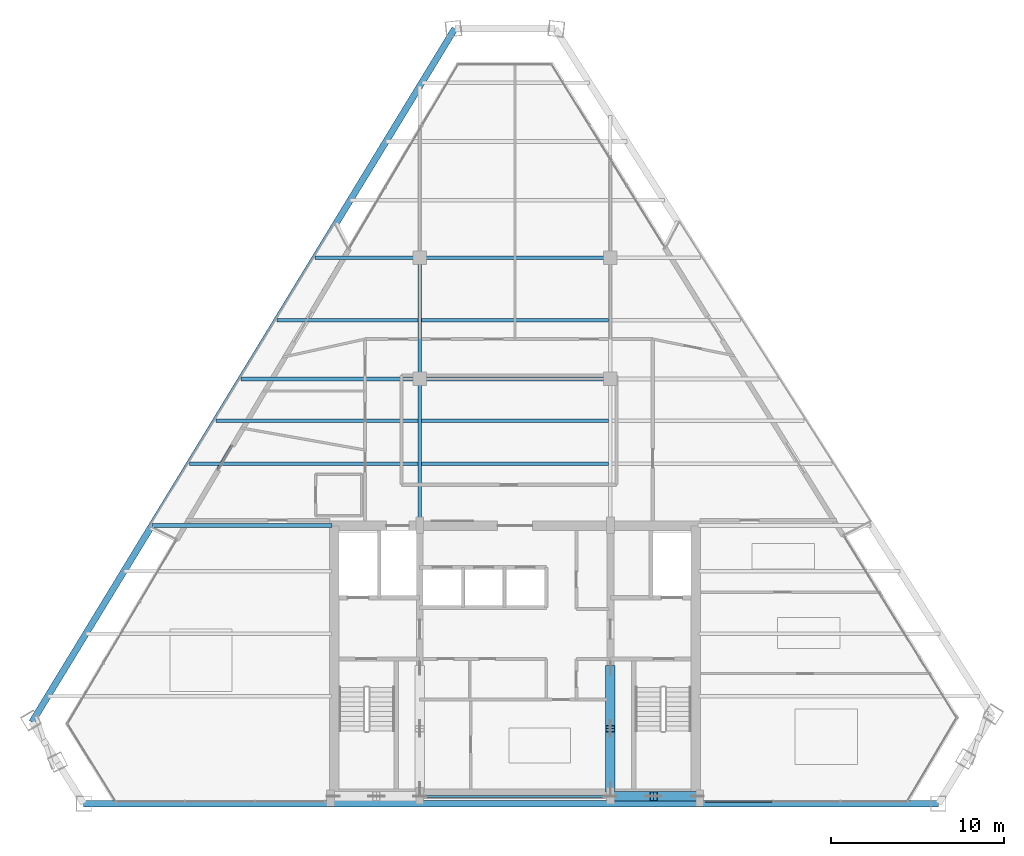
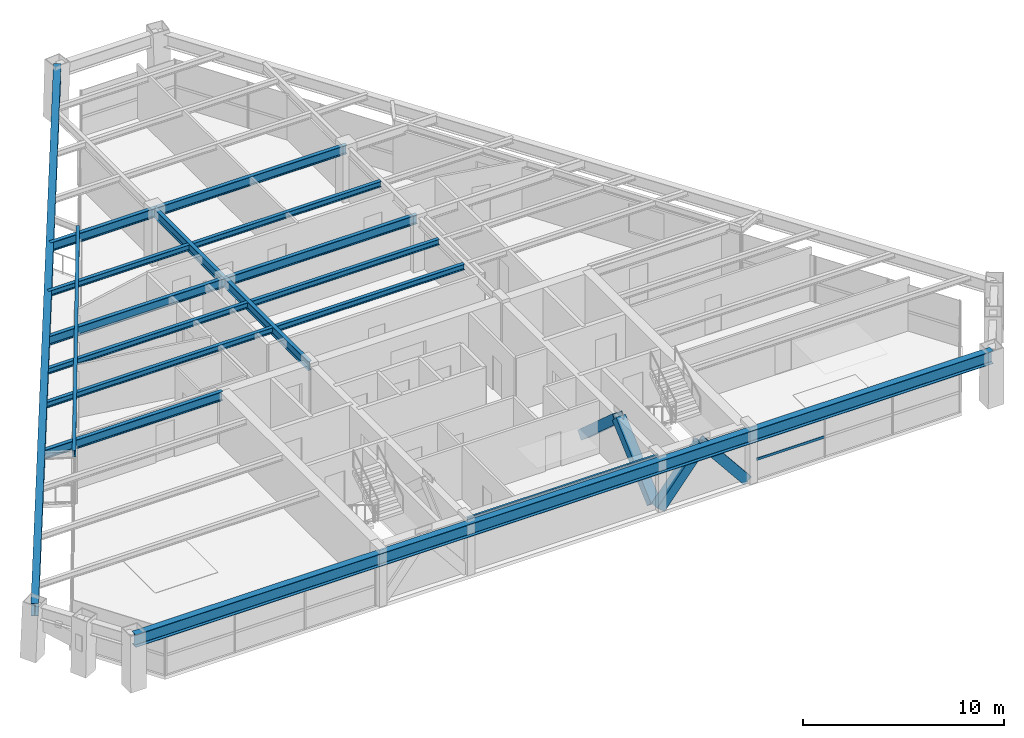
# One storey, part 3 of 12: 17 beams, 5 members, 1 element without a shape of its own.
"""IFC4 building model written with IfcOpenShell, lengths in metres."""

import ifcopenshell
import ifcopenshell.guid

model = None  # the IFC model being written
_history = None  # IfcOwnerHistory: only IFC2X3 demands one
_inside = {}  # id of a spatial element -> (the spatial element, [elements in it])
_under = {}  # id of a project, library or spatial element -> (it, [spatial elements below it])
_declared = {}  # id of a project -> (the project, [libraries it declares])
_typed = {}  # id of a type object -> (the type object, [elements of that type])
_made_of = {}  # id of a material, layer set ... -> (it, [elements and type objects made of it])


def new_model(schema):
    """Start an empty IFC model of exactly this schema.

    Asked for "IFC4X3", IfcOpenShell would pick the latest addendum, in which some entities
    have other attributes; the version numbers below select the first issue.
    IFC2X3 requires an IfcOwnerHistory on every rooted entity: one is made here for all.
    """
    global model, _history
    if schema == "IFC4X3":
        model = ifcopenshell.file(schema_version=(4, 3, 0, 0))
    else:
        model = ifcopenshell.file(schema=schema)
    _inside.clear()
    _under.clear()
    _declared.clear()
    _typed.clear()
    _made_of.clear()
    _history = None
    if model.schema == "IFC2X3":
        org = make("IfcOrganization", Name="unknown")
        user = make(
            "IfcPersonAndOrganization",
            ThePerson=make("IfcPerson", FamilyName="unknown"),
            TheOrganization=org,
        )
        app = make(
            "IfcApplication",
            ApplicationDeveloper=org,
            Version="unknown",
            ApplicationFullName="unknown",
            ApplicationIdentifier="unknown",
        )
        _history = make(
            "IfcOwnerHistory",
            OwningUser=user,
            OwningApplication=app,
            ChangeAction="ADDED",
            CreationDate=0,
        )
    return model


def make(cls, **values):
    """One entity of the class cls with the attributes given. An attribute that is None is left unset."""
    return model.create_entity(
        cls, **{name: value for name, value in values.items() if value is not None}
    )


def rooted(cls, **values):
    """An entity with a GlobalId (a new one), such as an element, a storey or a relation."""
    return make(cls, GlobalId=ifcopenshell.guid.new(), OwnerHistory=_history, **values)


def si_unit(unit_type, name, prefix=None):
    """IfcSIUnit, for example si_unit("LENGTHUNIT", "METRE", prefix="MILLI")."""
    return make("IfcSIUnit", UnitType=unit_type, Prefix=prefix, Name=name)


def assignment(units):
    """IfcUnitAssignment: the units of a project."""
    return None if units is None else make("IfcUnitAssignment", Units=units)


def point(xyz):
    """IfcCartesianPoint."""
    return None if xyz is None else make("IfcCartesianPoint", Coordinates=xyz)


def direction(xyz):
    """IfcDirection."""
    return None if xyz is None else make("IfcDirection", DirectionRatios=xyz)


def frame(location, z_axis=None, x_axis=None):
    """IfcAxis2Placement3D, a coordinate frame: its origin and axes. An axis left out is left unset."""
    return make(
        "IfcAxis2Placement3D",
        Location=point(location),
        Axis=direction(z_axis),
        RefDirection=direction(x_axis),
    )


def frame_2d(location, x_axis=None):
    """IfcAxis2Placement2D, a coordinate frame in the plane: its origin and x axis."""
    return make(
        "IfcAxis2Placement2D", Location=point(location), RefDirection=direction(x_axis)
    )


def origin():
    """The frame at (0, 0, 0) with its axes left unset."""
    return frame((0.0, 0.0, 0.0))


def origin_2d():
    """The frame at (0, 0) in the plane with its x axis left unset."""
    return frame_2d((0.0, 0.0))


def place(relative_to, where):
    """IfcLocalPlacement: puts the frame where relative to a parent placement (None: the world)."""
    return make(
        "IfcLocalPlacement", PlacementRelTo=relative_to, RelativePlacement=where
    )


def context(
    kind, dimensions, precision=None, world=None, true_north=None, identifier=None
):
    """IfcGeometricRepresentationContext, for example the 3D "Model" context."""
    return make(
        "IfcGeometricRepresentationContext",
        ContextIdentifier=identifier,
        ContextType=kind,
        CoordinateSpaceDimension=dimensions,
        Precision=precision,
        WorldCoordinateSystem=world,
        TrueNorth=true_north,
    )


def subcontext(parent, identifier, kind, view, scale=None):
    """IfcGeometricRepresentationSubContext, for example "Body" below "Model"."""
    return make(
        "IfcGeometricRepresentationSubContext",
        ContextIdentifier=identifier,
        ContextType=kind,
        ParentContext=parent,
        TargetScale=scale,
        TargetView=view,
    )


def project(units=None, contexts=None):
    """IfcProject with its units and contexts."""
    return rooted(
        "IfcProject",
        Name="project",
        RepresentationContexts=contexts,
        UnitsInContext=assignment(units),
    )


def spatial(cls, under=None, at=None, **own):
    """A site, building, storey or space (cls), placed at a placement, below another one or the project."""
    s = rooted(cls, ObjectPlacement=at, **own)
    if under is not None:
        _under.setdefault(under.id(), (under, []))[1].append(s)
    return s


def profile(cls, at=None, kind="AREA", **sizes):
    """A parametric profile (cls). Its sizes go by their IFC names, for example OverallWidth=200.0."""
    return make(cls, ProfileType=kind, Position=at, **sizes)


def rectangle(**sizes):
    """IfcRectangleProfileDef."""
    return profile("IfcRectangleProfileDef", **sizes)


def hollow_rectangle(**sizes):
    """IfcRectangleHollowProfileDef."""
    return profile("IfcRectangleHollowProfileDef", **sizes)


def i_section(**sizes):
    """IfcIShapeProfileDef."""
    return profile("IfcIShapeProfileDef", **sizes)


def extrude(swept, where, along, depth):
    """IfcExtrudedAreaSolid: the profile swept, set in the frame where, extruded along a direction by depth."""
    return make(
        "IfcExtrudedAreaSolid",
        SweptArea=swept,
        Position=where,
        ExtrudedDirection=direction(along),
        Depth=depth,
    )


def shape(context_of_items, identifier, shape_type, items):
    """IfcShapeRepresentation: the items that make up one representation, for example the "Body"."""
    return make(
        "IfcShapeRepresentation",
        ContextOfItems=context_of_items,
        RepresentationIdentifier=identifier,
        RepresentationType=shape_type,
        Items=items,
    )


def source(mapping_origin, context_of_items, identifier, shape_type, items):
    """IfcRepresentationMap: a shape defined once, which mapped items show again and again."""
    return make(
        "IfcRepresentationMap",
        MappingOrigin=mapping_origin,
        MappedRepresentation=shape(context_of_items, identifier, shape_type, items),
    )


def transform(
    local_origin,
    x_axis=None,
    y_axis=None,
    z_axis=None,
    scale=None,
    scale2=None,
    scale3=None,
    uniform=True,
):
    """IfcCartesianTransformationOperator3D, or its non-uniform kind. x_axis, y_axis, z_axis: its Axis1, 2, 3."""
    if uniform:
        return make(
            "IfcCartesianTransformationOperator3D",
            Axis1=direction(x_axis),
            Axis2=direction(y_axis),
            LocalOrigin=point(local_origin),
            Scale=scale,
            Axis3=direction(z_axis),
        )
    return make(
        "IfcCartesianTransformationOperator3DnonUniform",
        Axis1=direction(x_axis),
        Axis2=direction(y_axis),
        LocalOrigin=point(local_origin),
        Scale=scale,
        Axis3=direction(z_axis),
        Scale2=scale2,
        Scale3=scale3,
    )


def mapped(mapping_source, mapping_target):
    """IfcMappedItem: shows the shape of a source again, moved by a transform."""
    return make(
        "IfcMappedItem", MappingSource=mapping_source, MappingTarget=mapping_target
    )


def material(Name=None, Category=None):
    """IfcMaterial."""
    return make("IfcMaterial", Name=Name, Category=Category)


def material_profile(
    of_material, cross_section, Name=None, Category=None, Priority=None
):
    """IfcMaterialProfile: a cross section and its material."""
    return make(
        "IfcMaterialProfile",
        Name=Name,
        Material=of_material,
        Profile=cross_section,
        Priority=Priority,
        Category=Category,
    )


def profile_set(profiles, Name=None, composite=None):
    """IfcMaterialProfileSet."""
    return make(
        "IfcMaterialProfileSet",
        Name=Name,
        MaterialProfiles=profiles,
        CompositeProfile=composite,
    )


def made_of(thing, what):
    """Note that an element or type object is made of a material, layer set ...; save() writes the relation."""
    if what is not None:
        _made_of.setdefault(what.id(), (what, []))[1].append(thing)
    return thing


def type_object(cls, material=None, **own):
    """A type object (cls), such as IfcWallType, which elements share."""
    return made_of(rooted(cls, **own), material)


def type_shapes(of_type, sources):
    """Give a type object the sources (RepresentationMaps) that its elements show as mapped items."""
    of_type.RepresentationMaps = sources


def element(
    cls,
    number,
    at=None,
    inside=None,
    cuts=None,
    type_object=None,
    material=None,
    context=None,
    identifier="Body",
    shape_type=None,
    held_by="IfcProductDefinitionShape",
    body=None,
    shapes=None,
    **own,
):
    """One element of the class cls, such as IfcWall. Its Tag is "e" and its number.

    at: its placement. inside: the storey or other place that contains it. cuts: it is an
    opening in that element (IfcRelVoidsElement). A single representation is given by context,
    identifier, shape_type and body (its items); several are given by shapes. held_by: the class
    of the entity that holds the representations. save() writes the other relations.
    """
    e = rooted(cls, Tag="e%d" % number, ObjectPlacement=at, **own)
    if body is not None:
        shapes = [shape(context, identifier, shape_type, body)]
    if shapes is not None:
        e.Representation = make(held_by, Representations=shapes)
    if inside is not None:
        _inside.setdefault(inside.id(), (inside, []))[1].append(e)
    if cuts is not None:
        rooted(
            "IfcRelVoidsElement", RelatingBuildingElement=cuts, RelatedOpeningElement=e
        )
    if type_object is not None:
        _typed.setdefault(type_object.id(), (type_object, []))[1].append(e)
    return made_of(e, material)


def aggregate(whole, parts):
    """IfcRelAggregates: a whole, such as a stair, and the parts it consists of."""
    return rooted("IfcRelAggregates", RelatingObject=whole, RelatedObjects=parts)


def save(model, path):
    """Write the relations noted so far, then the file.

    IfcRelAggregates (storeys below a building ...), IfcRelContainedInSpatialStructure (elements
    in a storey), IfcRelDefinesByType, IfcRelAssociatesMaterial and IfcRelDeclares: one each for
    every whole, place, type object, material and project.
    """
    for whole, parts in _under.values():
        aggregate(whole, parts)
    for where, things in _inside.values():
        rooted(
            "IfcRelContainedInSpatialStructure",
            RelatedElements=things,
            RelatingStructure=where,
        )
    for kind, things in _typed.values():
        rooted("IfcRelDefinesByType", RelatedObjects=things, RelatingType=kind)
    for what, things in _made_of.values():
        rooted("IfcRelAssociatesMaterial", RelatedObjects=things, RelatingMaterial=what)
    for by, libraries in _declared.values():
        rooted("IfcRelDeclares", RelatingContext=by, RelatedDefinitions=libraries)
    model.write(path)


model = new_model("IFC4")

# Units and contexts
model_context = context("Model", 3, precision=1e-05, world=origin(), true_north=direction((0.0, 1.0)))
body_context = subcontext(model_context, "Body", "Model", "MODEL_VIEW")
ifc_project = project(units=[si_unit("LENGTHUNIT", "METRE"), si_unit("AREAUNIT", "SQUARE_METRE"), si_unit("VOLUMEUNIT", "CUBIC_METRE"), si_unit("PLANEANGLEUNIT", "RADIAN"), si_unit("MASSUNIT", "GRAM", prefix="KILO")], contexts=[model_context])

# Site, building, storey
site_placement = place(None, origin())
site = spatial("IfcSite", under=ifc_project, at=site_placement, CompositionType="ELEMENT")
building_placement = place(site_placement, origin())
building = spatial("IfcBuilding", under=site, at=building_placement, Name="Varnakhor Terracotta Tower", CompositionType="ELEMENT")
storey_placement = place(building_placement, frame((0.0, 0.0, 233.800048828125)))
storey = spatial("IfcBuildingStorey", under=building, at=storey_placement, Name="L60", CompositionType="ELEMENT", Elevation=233.800048828125)

# Beams
ifc_material_1 = material(Name="Steel S355", Category="steel")
ifc_material_profile_1 = material_profile(ifc_material_1, i_section(OverallWidth=0.1201171875, OverallDepth=0.239990234375, WebThickness=0.006103515625, FlangeThickness=0.009765625, FilletRadius=0.01806640625, at=origin_2d()), Name="IPE240")
ifc_profile_set_1 = profile_set([ifc_material_profile_1], Name="Steel S355")
beam_type_1 = type_object("IfcBeamType", Name="LNT-IPE240", PredefinedType="LINTEL", material=ifc_profile_set_1)
shared_shape_1 = source(origin(), body_context, "Body", "SweptSolid", [
    extrude(i_section(OverallWidth=0.1201171875, OverallDepth=0.239990234375, WebThickness=0.006103515625, FlangeThickness=0.009765625, FilletRadius=0.01806640625, at=origin_2d()), origin(), (0.0, 0.0, 1.0), 11.0),
])
type_shapes(beam_type_1, [shared_shape_1])
beam_1_placement = place(storey_placement, frame((-5.5, 0.419921875, 3.119873046875), z_axis=(1.0, 0.0, 0.0), x_axis=(0.0, 1.0, 0.0)))
element("IfcBeam", 1, at=beam_1_placement, inside=storey, type_object=beam_type_1, Name="L60 Core South Coupling Lintel", PredefinedType="LINTEL", context=body_context, shape_type="MappedRepresentation", body=[
    mapped(shared_shape_1, transform((0.0, 0.0, 0.0), scale=1.0)),
])
ifc_material_profile_2 = material_profile(ifc_material_1, i_section(OverallWidth=0.214111328125, OverallDepth=0.549072265625, WebThickness=0.014892578125, FlangeThickness=0.02392578125, FilletRadius=0.01806640625, at=origin_2d()), Name="W21X93")
ifc_profile_set_2 = profile_set([ifc_material_profile_2], Name="Steel S355")
beam_type_2 = type_object("IfcBeamType", Name="BM-W21X93", PredefinedType="BEAM", material=ifc_profile_set_2)
shared_shape_2 = source(origin(), body_context, "Body", "SweptSolid", [
    extrude(i_section(OverallWidth=0.214111328125, OverallDepth=0.549072265625, WebThickness=0.014892578125, FlangeThickness=0.02392578125, FilletRadius=0.01806640625, at=origin_2d()), origin(), (0.0, 0.0, 1.0), 8.449951171875),
])
type_shapes(beam_type_2, [shared_shape_2])
beam_2_placement = place(storey_placement, frame((-5.5, 16.050048828125, 2.96533203125), z_axis=(0.0, 1.0, 0.0), x_axis=(-1.0, 0.0, 0.0)))
element("IfcBeam", 2, at=beam_2_placement, inside=storey, type_object=beam_type_2, Name="L60 Primary Girder NS1-W", PredefinedType="BEAM", context=body_context, shape_type="MappedRepresentation", body=[
    mapped(shared_shape_2, transform((0.0, 0.0, 0.0), scale=1.0)),
])
shared_shape_3 = source(origin(), body_context, "Body", "SweptSolid", [
    extrude(i_section(OverallWidth=0.214111328125, OverallDepth=0.549072265625, WebThickness=0.014892578125, FlangeThickness=0.02392578125, FilletRadius=0.01806640625, at=origin_2d()), origin(), (0.0, 0.0, 1.0), 7.0),
])
beam_3_placement = place(storey_placement, frame((-5.5, 24.5, 2.96533203125), z_axis=(0.0, 1.0, 0.0), x_axis=(-1.0, 0.0, 0.0)))
element("IfcBeam", 3, at=beam_3_placement, inside=storey, type_object=beam_type_2, Name="L60 Primary Girder NS2-W", PredefinedType="BEAM", context=body_context, shape_type="MappedRepresentation", body=[
    mapped(shared_shape_3, transform((0.0, 0.0, 0.0), scale=1.0)),
])
shared_shape_4 = source(origin(), body_context, "Body", "SweptSolid", [
    extrude(i_section(OverallWidth=0.214111328125, OverallDepth=0.549072265625, WebThickness=0.014892578125, FlangeThickness=0.02392578125, FilletRadius=0.01806640625, at=origin_2d()), origin(), (0.0, 0.0, 1.0), 11.0),
])
for number, where, z_axis, x_axis, name in (
    (4, (-5.5, 24.5, 2.96533203125), (1.0, 0.0, 0.0), (0.0, 1.0, 0.0), "L60 Primary Girder EW2-2"),
    (5, (-5.5, 31.5, 2.96533203125), (1.0, 0.0, 0.0), (0.0, 1.0, 0.0), "L60 Primary Girder EW3-2"),
):
    element("IfcBeam", number, at=place(storey_placement, frame(where, z_axis=z_axis, x_axis=x_axis)), inside=storey, type_object=beam_type_2, Name=name, PredefinedType="BEAM", context=body_context, shape_type="MappedRepresentation", body=[
        mapped(shared_shape_4, transform((0.0, 0.0, 0.0), scale=1.0)),
    ])
ifc_material_profile_3 = material_profile(ifc_material_1, i_section(OverallWidth=0.202880859375, OverallDepth=0.346923828125, WebThickness=0.0078125, FlangeThickness=0.013427734375, FilletRadius=0.01806640625, at=origin_2d()), Name="W14X43")
ifc_profile_set_3 = profile_set([ifc_material_profile_3], Name="Steel S355")
beam_type_3 = type_object("IfcBeamType", Name="JST-W14X43", PredefinedType="JOIST", material=ifc_profile_set_3)
shared_shape_5 = source(origin(), body_context, "Body", "SweptSolid", [
    extrude(i_section(OverallWidth=0.202880859375, OverallDepth=0.346923828125, WebThickness=0.0078125, FlangeThickness=0.013427734375, FilletRadius=0.01806640625, at=origin_2d()), origin(), (0.0, 0.0, 1.0), 10.7939453125),
])
for number, where, z_axis, x_axis, name in (
    (6, (-5.39697265625, 19.60009765625, 3.06640625), (1.0, 0.0, 0.0), (0.0, 1.0, 0.0), "L60 Composite Floor Joist 4-2"),
    (7, (-5.39697265625, 22.10009765625, 3.06640625), (1.0, 0.0, 0.0), (0.0, 1.0, 0.0), "L60 Composite Floor Joist 5-2"),
    (8, (-5.39697265625, 27.89990234375, 3.06640625), (1.0, 0.0, 0.0), (0.0, 1.0, 0.0), "L60 Composite Floor Joist 6-2"),
):
    element("IfcBeam", number, at=place(storey_placement, frame(where, z_axis=z_axis, x_axis=x_axis)), inside=storey, type_object=beam_type_3, Name=name, PredefinedType="JOIST", context=body_context, shape_type="MappedRepresentation", body=[
        mapped(shared_shape_5, transform((0.0, 0.0, 0.0), scale=1.0)),
    ])

# Members
ifc_material_profile_4 = material_profile(ifc_material_1, hollow_rectangle(XDim=0.550048828125, YDim=0.550048828125, WallThickness=0.034912109375, at=origin_2d()), Name="HSS550X550X35")
ifc_profile_set_4 = profile_set([ifc_material_profile_4], Name="Steel S355")
member_type_1 = type_object("IfcMemberType", Name="MBR-MEGA-550", PredefinedType="BRACE", material=ifc_profile_set_4)
shared_shape_6 = source(origin(), body_context, "Body", "SweptSolid", [
    extrude(hollow_rectangle(XDim=0.550048828125, YDim=0.550048828125, WallThickness=0.034912109375, at=origin_2d()), origin(), (0.0, 0.0, 1.0), 4.650146484375),
])
member_1_placement = place(storey_placement, frame((5.5, 7.800048828125, 0.0), z_axis=(0.0, -0.747316617832, 0.664468112638), x_axis=(1.0, 0.0, 0.0)))
element("IfcMember", 9, at=member_1_placement, inside=storey, type_object=member_type_1, Name="L60 Core Coupled Brace CWEB", PredefinedType="BRACE", context=body_context, shape_type="MappedRepresentation", body=[
    mapped(shared_shape_6, transform((0.0, 0.0, 0.0), scale=1.0)),
])
shared_shape_7 = source(origin(), body_context, "Body", "SweptSolid", [
    extrude(hollow_rectangle(XDim=0.550048828125, YDim=0.550048828125, WallThickness=0.034912109375, at=origin_2d()), origin(), (0.0, 0.0, 1.0), 3.974609375),
])
for number, where, z_axis, x_axis, name in (
    (10, (5.5, 0.419921875, 0.0), (0.629000299358, 0.0, 0.777405057488), (0.0, 1.0, 0.0), "L60 Core Coupled Brace CSEA"),
    (11, (10.5, 0.419921875, 0.0), (-0.629000299358, 0.0, 0.777405057488), (0.0, -1.0, 0.0), "L60 Core Coupled Brace CSEB"),
):
    element("IfcMember", number, at=place(storey_placement, frame(where, z_axis=z_axis, x_axis=x_axis)), inside=storey, type_object=member_type_1, Name=name, PredefinedType="BRACE", context=body_context, shape_type="MappedRepresentation", body=[
        mapped(shared_shape_7, transform((0.0, 0.0, 0.0), scale=1.0)),
    ])
shared_shape_8 = source(origin(), body_context, "Body", "SweptSolid", [
    extrude(hollow_rectangle(XDim=0.550048828125, YDim=0.550048828125, WallThickness=0.034912109375, at=origin_2d()), origin(), (0.0, 0.0, 1.0), 4.64990234375),
])
member_2_placement = place(storey_placement, frame((5.5, 0.85009765625, 0.0), z_axis=(0.0, 0.747293435799, 0.664494184182), x_axis=(-1.0, 0.0, 0.0)))
element("IfcMember", 12, at=member_2_placement, inside=storey, type_object=member_type_1, Name="L60 Core Coupled Brace CWEA", PredefinedType="BRACE", context=body_context, shape_type="MappedRepresentation", body=[
    mapped(shared_shape_8, transform((0.0, 0.0, 0.0), scale=1.0)),
])

# Beams
ifc_material_profile_5 = material_profile(ifc_material_1, i_section(OverallWidth=0.381103515625, OverallDepth=0.77294921875, WebThickness=0.01708984375, FlangeThickness=0.027099609375, FilletRadius=0.01806640625, at=origin_2d()), Name="W30X173")
ifc_profile_set_5 = profile_set([ifc_material_profile_5], Name="Steel S355")
beam_type_4 = type_object("IfcBeamType", Name="BM-W30X173", PredefinedType="BEAM", material=ifc_profile_set_5)
shared_shape_9 = source(origin(), body_context, "Body", "SweptSolid", [
    extrude(i_section(OverallWidth=0.381103515625, OverallDepth=0.77294921875, WebThickness=0.01708984375, FlangeThickness=0.027099609375, FilletRadius=0.01806640625, at=origin_2d()), origin(), (0.0, 0.0, 1.0), 49.31591796875),
])
beam_4_placement = place(storey_placement, frame((-24.885498046875, 0.0, 2.853515625), z_axis=(1.0, 0.0, 0.0), x_axis=(0.0, 1.0, 0.0)))
element("IfcBeam", 13, at=beam_4_placement, inside=storey, type_object=beam_type_4, Name="L60 Perimeter Spandrel 1", PredefinedType="BEAM", context=body_context, shape_type="MappedRepresentation", body=[
    mapped(shared_shape_9, transform((0.0, 0.0, 0.0), scale=1.0)),
])
shared_shape_10 = source(origin(), body_context, "Body", "SweptSolid", [
    extrude(i_section(OverallWidth=0.381103515625, OverallDepth=0.77294921875, WebThickness=0.01708984375, FlangeThickness=0.027099609375, FilletRadius=0.01806640625, at=origin_2d()), origin(), (0.0, 0.0, 1.0), 46.86376953125),
])
beam_5_placement = place(storey_placement, frame((-3.4765625, 44.710693359375, 2.853515625), z_axis=(-0.520577969254, -0.853814135469, 0.0), x_axis=(0.853814135469, -0.520577969254, 0.0)))
element("IfcBeam", 14, at=beam_5_placement, inside=storey, type_object=beam_type_4, Name="L60 Perimeter Spandrel 6", PredefinedType="BEAM", context=body_context, shape_type="MappedRepresentation", body=[
    mapped(shared_shape_10, transform((0.0, 0.0, 0.0), scale=1.0)),
])
ifc_material_profile_6 = material_profile(ifc_material_1, i_section(OverallWidth=0.179931640625, OverallDepth=0.39990234375, WebThickness=0.008544921875, FlangeThickness=0.013427734375, FilletRadius=0.01806640625, at=origin_2d()), Name="IPE400")
ifc_profile_set_6 = profile_set([ifc_material_profile_6], Name="Steel S355")
beam_type_5 = type_object("IfcBeamType", Name="JST-IPE400", PredefinedType="JOIST", material=ifc_profile_set_6)
shared_shape_11 = source(origin(), body_context, "Body", "SweptSolid", [
    extrude(i_section(OverallWidth=0.179931640625, OverallDepth=0.39990234375, WebThickness=0.008544921875, FlangeThickness=0.013427734375, FilletRadius=0.01806640625, at=origin_2d()), origin(), (0.0, 0.0, 1.0), 19.55859375),
])
beam_6_placement = place(storey_placement, frame((-9.601318359375, 32.047607421875, 3.0400390625), z_axis=(-0.508699873742, -0.860943922944, 0.0), x_axis=(0.860943922944, -0.508699873742, 0.0)))
element("IfcBeam", 15, at=beam_6_placement, inside=storey, type_object=beam_type_5, Name="L60 Loggia Edge Beam 2", PredefinedType="JOIST", context=body_context, shape_type="MappedRepresentation", body=[
    mapped(shared_shape_11, transform((0.0, 0.0, 0.0), scale=1.0)),
])
shared_shape_12 = source(origin(), body_context, "Body", "SweptSolid", [
    extrude(i_section(OverallWidth=0.214111328125, OverallDepth=0.549072265625, WebThickness=0.014892578125, FlangeThickness=0.02392578125, FilletRadius=0.01806640625, at=origin_2d()), origin(), (0.0, 0.0, 1.0), 10.401123046875),
])
beam_7_placement = place(storey_placement, frame((-20.951171875, 16.050048828125, 2.96533203125), z_axis=(1.0, 0.0, 0.0), x_axis=(0.0, 1.0, 0.0)))
element("IfcBeam", 16, at=beam_7_placement, inside=storey, type_object=beam_type_2, Name="L60 Wing Girder W", PredefinedType="BEAM", context=body_context, shape_type="MappedRepresentation", body=[
    mapped(shared_shape_12, transform((0.0, 0.0, 0.0), scale=1.0)),
])
shared_shape_13 = source(origin(), body_context, "Body", "SweptSolid", [
    extrude(i_section(OverallWidth=0.214111328125, OverallDepth=0.549072265625, WebThickness=0.014892578125, FlangeThickness=0.02392578125, FilletRadius=0.01806640625, at=origin_2d()), origin(), (0.0, 0.0, 1.0), 10.29931640625),
])
beam_8_placement = place(storey_placement, frame((-15.79931640625, 24.5, 2.96533203125), z_axis=(1.0, 0.0, 0.0), x_axis=(0.0, 1.0, 0.0)))
element("IfcBeam", 17, at=beam_8_placement, inside=storey, type_object=beam_type_2, Name="L60 Primary Girder EW2-1", PredefinedType="BEAM", context=body_context, shape_type="MappedRepresentation", body=[
    mapped(shared_shape_13, transform((0.0, 0.0, 0.0), scale=1.0)),
])
shared_shape_14 = source(origin(), body_context, "Body", "SweptSolid", [
    extrude(i_section(OverallWidth=0.214111328125, OverallDepth=0.549072265625, WebThickness=0.014892578125, FlangeThickness=0.02392578125, FilletRadius=0.01806640625, at=origin_2d()), origin(), (0.0, 0.0, 1.0), 6.03125),
])
beam_9_placement = place(storey_placement, frame((-11.53125, 31.5, 2.96533203125), z_axis=(1.0, 0.0, 0.0), x_axis=(0.0, 1.0, 0.0)))
element("IfcBeam", 18, at=beam_9_placement, inside=storey, type_object=beam_type_2, Name="L60 Primary Girder EW3-1", PredefinedType="BEAM", context=body_context, shape_type="MappedRepresentation", body=[
    mapped(shared_shape_14, transform((0.0, 0.0, 0.0), scale=1.0)),
])
shared_shape_15 = source(origin(), body_context, "Body", "SweptSolid", [
    extrude(i_section(OverallWidth=0.202880859375, OverallDepth=0.346923828125, WebThickness=0.0078125, FlangeThickness=0.013427734375, FilletRadius=0.01806640625, at=origin_2d()), origin(), (0.0, 0.0, 1.0), 13.183837890625),
])
beam_10_placement = place(storey_placement, frame((-18.786865234375, 19.60009765625, 3.06640625), z_axis=(1.0, 0.0, 0.0), x_axis=(0.0, 1.0, 0.0)))
element("IfcBeam", 19, at=beam_10_placement, inside=storey, type_object=beam_type_3, Name="L60 Composite Floor Joist 4-1", PredefinedType="JOIST", context=body_context, shape_type="MappedRepresentation", body=[
    mapped(shared_shape_15, transform((0.0, 0.0, 0.0), scale=1.0)),
])
shared_shape_16 = source(origin(), body_context, "Body", "SweptSolid", [
    extrude(i_section(OverallWidth=0.202880859375, OverallDepth=0.346923828125, WebThickness=0.0078125, FlangeThickness=0.013427734375, FilletRadius=0.01806640625, at=origin_2d()), origin(), (0.0, 0.0, 1.0), 11.659423828125),
])
beam_11_placement = place(storey_placement, frame((-17.262451171875, 22.10009765625, 3.06640625), z_axis=(1.0, 0.0, 0.0), x_axis=(0.0, 1.0, 0.0)))
element("IfcBeam", 20, at=beam_11_placement, inside=storey, type_object=beam_type_3, Name="L60 Composite Floor Joist 5-1", PredefinedType="JOIST", context=body_context, shape_type="MappedRepresentation", body=[
    mapped(shared_shape_16, transform((0.0, 0.0, 0.0), scale=1.0)),
])
shared_shape_17 = source(origin(), body_context, "Body", "SweptSolid", [
    extrude(i_section(OverallWidth=0.202880859375, OverallDepth=0.346923828125, WebThickness=0.0078125, FlangeThickness=0.013427734375, FilletRadius=0.01806640625, at=origin_2d()), origin(), (0.0, 0.0, 1.0), 8.123291015625),
])
beam_12_placement = place(storey_placement, frame((-13.726318359375, 27.89990234375, 3.06640625), z_axis=(1.0, 0.0, 0.0), x_axis=(0.0, 1.0, 0.0)))
element("IfcBeam", 21, at=beam_12_placement, inside=storey, type_object=beam_type_3, Name="L60 Composite Floor Joist 6-1", PredefinedType="JOIST", context=body_context, shape_type="MappedRepresentation", body=[
    mapped(shared_shape_17, transform((0.0, 0.0, 0.0), scale=1.0)),
])

# Curtain wall, member
ifc_material_2 = material(Name="Anodised Aluminium Curtain Wall System", Category="aluminium")
curtain_wall_type = type_object("IfcCurtainWallType", Name="CW-SYS-HOTEL-LOGGIA", PredefinedType="NOTDEFINED", material=ifc_material_2)
curtain_wall_placement = place(storey_placement, origin())
curtain_wall = element("IfcCurtainWall", 22, at=curtain_wall_placement, inside=storey, type_object=curtain_wall_type, Name="L60 South Wing Curtain Wall SSE", PredefinedType="NOTDEFINED")
ifc_material_3 = material(Name="Anodised Aluminium 6063-T6", Category="aluminium")
ifc_material_profile_7 = material_profile(ifc_material_3, rectangle(XDim=0.06494140625, YDim=0.14501953125, at=origin_2d()), Name="ALU TRANSOM 65x145")
ifc_profile_set_7 = profile_set([ifc_material_profile_7], Name="Anodised Aluminium 6063-T6")
member_type_2 = type_object("IfcMemberType", Name="CWT-04", PredefinedType="USERDEFINED", material=ifc_profile_set_7)
shared_shape_18 = source(origin(), body_context, "Body", "SweptSolid", [
    extrude(rectangle(XDim=0.06494140625, YDim=0.14501953125, at=origin_2d()), origin(), (0.0, 0.0, 1.0), 3.901611328125),
])
member_3_placement = place(storey_placement, frame((14.87158203125, 0.1201171875, 1.184326171875), z_axis=(-1.0, 0.0, 0.0), x_axis=(0.0, -1.0, 0.0)))
member_3 = element("IfcMember", 23, at=member_3_placement, type_object=member_type_2, Name="L60 South Wing Curtain Wall SSE Transom 3", ObjectType="TRANSOM", PredefinedType="USERDEFINED", context=body_context, shape_type="MappedRepresentation", body=[
    mapped(shared_shape_18, transform((0.0, 0.0, 0.0), scale=1.0)),
])
aggregate(curtain_wall, [member_3])

save(model, "model.ifc")
